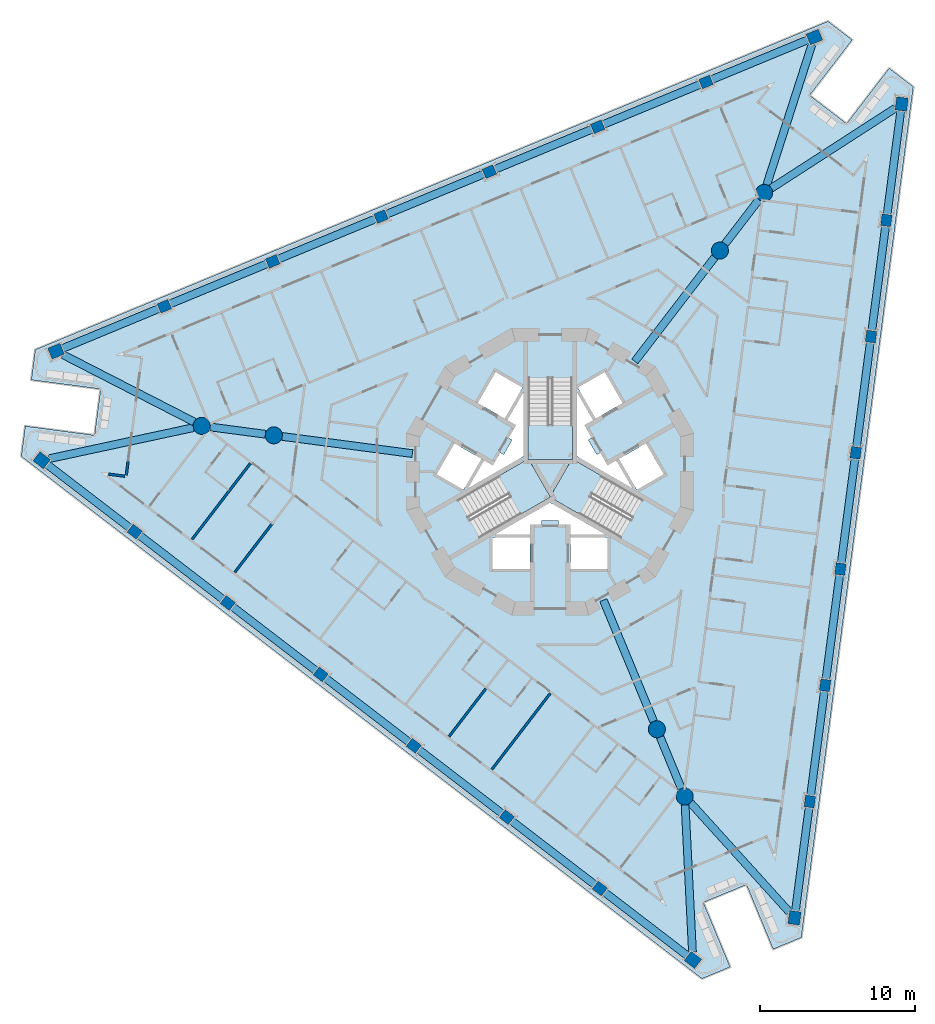
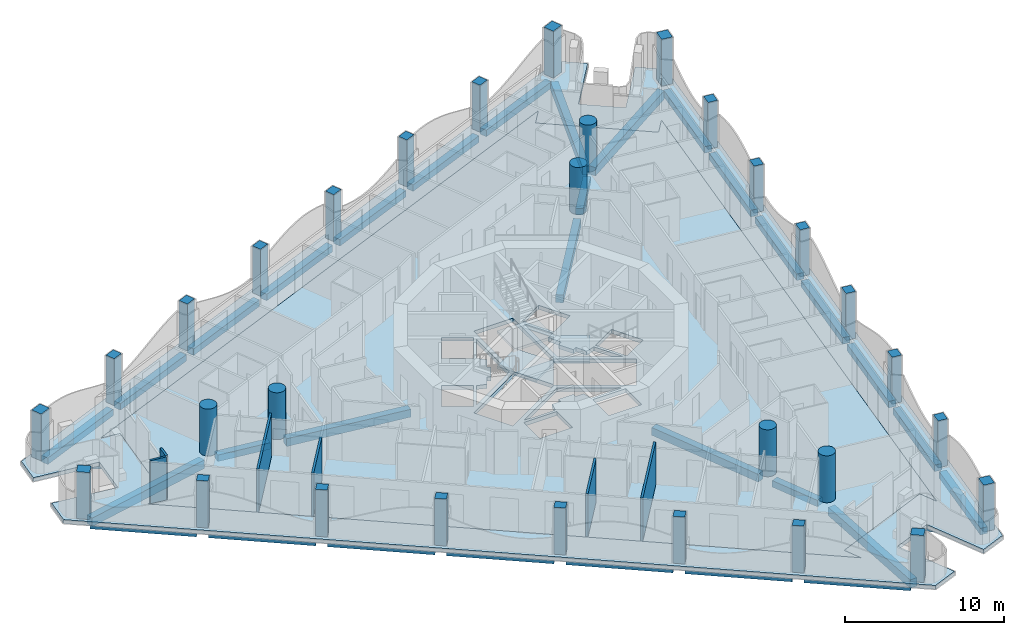
# One storey, part 1 of 17: 33 beams, 30 columns, 6 slabs, 6 walls, 3 elements without a shape of their own.
"""IFC4 building model written with IfcOpenShell, lengths in metres."""

from ifc_helpers import new_model, si_unit, direction, frame, frame_2d, origin, origin_2d, place, context, subcontext, project, spatial, polyline, rectangle, circle, outline, extrude, material, layer, layer_set, material_profile, profile_set, type_object, element, aggregate, save


model = new_model("IFC4")

# Units and contexts
model_context = context("Model", 3, precision=1e-05, world=origin(), true_north=direction((0.0, 1.0)))
body_context = subcontext(model_context, "Body", "Model", "MODEL_VIEW")
ifc_project = project(units=[si_unit("LENGTHUNIT", "METRE"), si_unit("AREAUNIT", "SQUARE_METRE"), si_unit("VOLUMEUNIT", "CUBIC_METRE"), si_unit("PLANEANGLEUNIT", "RADIAN"), si_unit("MASSUNIT", "GRAM", prefix="KILO")], contexts=[model_context])

# Site, building, storey
site_placement = place(None, origin())
site = spatial("IfcSite", under=ifc_project, at=site_placement, CompositionType="ELEMENT")
building_placement = place(site_placement, origin())
building = spatial("IfcBuilding", under=site, at=building_placement, Name="Trine Commons Tower", CompositionType="ELEMENT")
storey_placement = place(building_placement, frame((0.0, 0.0, 127.800048828125)))
storey = spatial("IfcBuildingStorey", under=building, at=storey_placement, Name="L32", CompositionType="ELEMENT", Elevation=127.800048828125)

# Columns
ifc_material_1 = material(Name="Concrete C70/85", Category="concrete")
ifc_material_profile_1 = material_profile(ifc_material_1, rectangle(XDim=0.75, YDim=0.64990234375, at=origin_2d()), Name="RC 750x650")
ifc_profile_set_1 = profile_set([ifc_material_profile_1], Name="Concrete C70/85")
column_type_1 = type_object("IfcColumnType", Name="RC column 750x650, C70/85", PredefinedType="COLUMN", material=ifc_profile_set_1)
for number, where, z_axis, x_axis, name in (
    (1, (83.197021484375, 35.652587890625, 0.0), (0.0, 0.0, 1.0), (-0.793353340291, 0.608761429009, 0.0), "Column PC4-02 L32"),
    (2, (77.20556640625, 40.25, 0.0), (0.0, 0.0, 1.0), (-0.793353340291, 0.608761429009, 0.0), "Column PC4-03 L32"),
    (3, (71.214111328125, 44.847412109375, 0.0), (0.0, 0.0, 1.0), (-0.793353340291, 0.608761429009, 0.0), "Column PC4-04 L32"),
    (4, (65.222900390625, 49.444580078125, 0.0), (0.0, 0.0, 1.0), (-0.793353340291, 0.608761429009, 0.0), "Column PC4-05 L32"),
    (5, (59.2314453125, 54.0419921875, 0.0), (0.0, 0.0, 1.0), (-0.793353340291, 0.608761429009, 0.0), "Column PC4-06 L32"),
    (6, (53.239990234375, 58.639404296875, 0.0), (0.0, 0.0, 1.0), (-0.793353340291, 0.608761429009, 0.0), "Column PC4-07 L32"),
    (7, (55.151123046875, 73.155029296875, 0.0), (0.0, 0.0, 1.0), (0.923879532511, 0.382683432365, 0.0), "Column PC4-10 L32"),
    (8, (62.128173828125, 76.044921875, 0.0), (0.0, 0.0, 1.0), (0.923879532511, 0.382683432365, 0.0), "Column PC4-11 L32"),
    (9, (69.105224609375, 78.93505859375, 0.0), (0.0, 0.0, 1.0), (0.923879532511, 0.382683432365, 0.0), "Column PC4-12 L32"),
    (10, (76.08251953125, 81.8251953125, 0.0), (0.0, 0.0, 1.0), (0.923879532511, 0.382683432365, 0.0), "Column PC4-13 L32"),
    (11, (83.0595703125, 84.715087890625, 0.0), (0.0, 0.0, 1.0), (0.923879532511, 0.382683432365, 0.0), "Column PC4-14 L32"),
    (12, (90.03662109375, 87.60498046875, 0.0), (0.0, 0.0, 1.0), (0.923879532511, 0.382683432365, 0.0), "Column PC4-15 L32"),
    (13, (101.652099609375, 78.692138671875, 0.0), (0.0, 0.0, 1.0), (0.13052619222, 0.991444861374, 0.0), "Column PC4-18 L32"),
    (14, (100.666259765625, 71.204833984375, 0.0), (0.0, 0.0, 1.0), (0.13052619222, 0.991444861374, 0.0), "Column PC4-19 L32"),
    (15, (99.680419921875, 63.717529296875, 0.0), (0.0, 0.0, 1.0), (0.13052619222, 0.991444861374, 0.0), "Column PC4-20 L32"),
    (16, (98.69482421875, 56.230224609375, 0.0), (0.0, 0.0, 1.0), (0.13052619222, 0.991444861374, 0.0), "Column PC4-21 L32"),
    (17, (97.708984375, 48.742919921875, 0.0), (0.0, 0.0, 1.0), (0.13052619222, 0.991444861374, 0.0), "Column PC4-22 L32"),
    (18, (96.723388671875, 41.255615234375, 0.0), (0.0, 0.0, 1.0), (0.13052619222, 0.991444861374, 0.0), "Column PC4-23 L32"),
):
    element("IfcColumn", number, at=place(storey_placement, frame(where, z_axis=z_axis, x_axis=x_axis)), inside=storey, type_object=column_type_1, Name=name, PredefinedType="COLUMN", context=body_context, shape_type="SweptSolid", body=[
        extrude(rectangle(XDim=0.75, YDim=0.64990234375, at=origin_2d()), origin(), (0.0, 0.0, 1.0), 3.599853515625),
    ])
ifc_material_profile_2 = material_profile(ifc_material_1, rectangle(XDim=0.85009765625, YDim=0.75, at=origin_2d()), Name="RC 850x750")
ifc_profile_set_2 = profile_set([ifc_material_profile_2], Name="Concrete C70/85")
column_type_2 = type_object("IfcColumnType", Name="RC column 850x750, C70/85", PredefinedType="COLUMN", material=ifc_profile_set_2)
for number, where, z_axis, x_axis, name in (
    (19, (89.188232421875, 31.055419921875, 0.0), (0.0, 0.0, 1.0), (-0.793353340291, 0.608761429009, 0.0), "Column PC4-01 L32"),
    (20, (47.248779296875, 63.23681640625, 0.0), (0.0, 0.0, 1.0), (-0.793353340291, 0.608761429009, 0.0), "Column PC4-08 L32"),
    (21, (48.174072265625, 70.264892578125, 0.0), (0.0, 0.0, 1.0), (0.923879532511, 0.382683432365, 0.0), "Column PC4-09 L32"),
    (22, (97.013671875, 90.4951171875, 0.0), (0.0, 0.0, 1.0), (0.923879532511, 0.382683432365, 0.0), "Column PC4-16 L32"),
    (23, (102.6376953125, 86.1796875, 0.0), (0.0, 0.0, 1.0), (0.13052619222, 0.991444861374, 0.0), "Column PC4-17 L32"),
    (24, (95.737548828125, 33.768310546875, 0.0), (0.0, 0.0, 1.0), (0.13052619222, 0.991444861374, 0.0), "Column PC4-24 L32"),
):
    element("IfcColumn", number, at=place(storey_placement, frame(where, z_axis=z_axis, x_axis=x_axis)), inside=storey, type_object=column_type_2, Name=name, PredefinedType="COLUMN", context=body_context, shape_type="SweptSolid", body=[
        extrude(rectangle(XDim=0.85009765625, YDim=0.75, at=origin_2d()), origin(), (0.0, 0.0, 1.0), 3.599853515625),
    ])
ifc_material_profile_3 = material_profile(ifc_material_1, circle(Radius=0.550048828125, at=origin_2d()), Name="RC round 1100")
ifc_profile_set_3 = profile_set([ifc_material_profile_3], Name="Concrete C70/85")
column_type_3 = type_object("IfcColumnType", Name="RC round column 1100 mm, C70/85", PredefinedType="COLUMN", material=ifc_profile_set_3)
for number, where, z_axis, x_axis, name in (
    (25, (86.87109375, 45.912109375, 0.0), (0.0, 0.0, 1.0), (1.0, 0.0, 0.0), "Column WC4-1 L32"),
    (26, (88.66259765625, 41.58642578125, 0.0), (0.0, 0.0, 1.0), (1.0, 0.0, 0.0), "Column WC4-2 L32"),
    (27, (90.93017578125, 76.744384765625, 0.0), (0.0, 0.0, 1.0), (1.0, 0.0, 0.0), "Column WC4-3 L32"),
    (28, (93.7802734375, 80.458984375, 0.0), (0.0, 0.0, 1.0), (1.0, 0.0, 0.0), "Column WC4-4 L32"),
    (29, (62.198974609375, 64.843505859375, 0.0), (0.0, 0.0, 1.0), (1.0, 0.0, 0.0), "Column WC4-5 L32"),
    (30, (57.556884765625, 65.45458984375, 0.0), (0.0, 0.0, 1.0), (1.0, 0.0, 0.0), "Column WC4-6 L32"),
):
    element("IfcColumn", number, at=place(storey_placement, frame(where, z_axis=z_axis, x_axis=x_axis)), inside=storey, type_object=column_type_3, Name=name, PredefinedType="COLUMN", context=body_context, shape_type="SweptSolid", body=[
        extrude(circle(Radius=0.550048828125, at=origin_2d()), origin(), (0.0, 0.0, 1.0), 3.599853515625),
    ])

# Beams
ifc_material_2 = material(Name="Concrete C50/60", Category="concrete")
ifc_material_profile_4 = material_profile(ifc_material_2, rectangle(XDim=0.5, YDim=0.5, at=origin_2d()), Name="RC 500x500")
ifc_profile_set_4 = profile_set([ifc_material_profile_4], Name="Concrete C50/60")
beam_type_1 = type_object("IfcBeamType", Name="RC beam 500x500, C50/60", PredefinedType="BEAM", material=ifc_profile_set_4)
beam_1_placement = place(storey_placement, frame((88.85107421875, 31.314208984375, -0.550048828125), z_axis=(-0.793369431695, 0.608740457709, 0.0), x_axis=(-0.608740457709, -0.793369431695, 0.0)))
element("IfcBeam", 31, at=beam_1_placement, inside=storey, type_object=beam_type_1, Name="Beam EB4-01 L32", PredefinedType="BEAM", context=body_context, shape_type="SweptSolid", body=[
    extrude(rectangle(XDim=0.5, YDim=0.5, at=origin_2d()), origin(), (0.0, 0.0, 1.0), 6.751708984375),
])
beam_2_placement = place(storey_placement, frame((82.8994140625, 35.881103515625, -0.550048828125), z_axis=(-0.793370600973, 0.60873893379, 0.0), x_axis=(-0.60873893379, -0.793370600973, 0.0)))
element("IfcBeam", 32, at=beam_2_placement, inside=storey, type_object=beam_type_1, Name="Beam EB4-02 L32", PredefinedType="BEAM", context=body_context, shape_type="SweptSolid", body=[
    extrude(rectangle(XDim=0.5, YDim=0.5, at=origin_2d()), origin(), (0.0, 0.0, 1.0), 6.802001953125),
])
beam_3_placement = place(storey_placement, frame((76.907958984375, 40.478515625, -0.550048828125), z_axis=(-0.793357299922, 0.608756268682, 0.0), x_axis=(-0.608756268682, -0.793357299922, 0.0)))
element("IfcBeam", 33, at=beam_3_placement, inside=storey, type_object=beam_type_1, Name="Beam EB4-03 L32", PredefinedType="BEAM", context=body_context, shape_type="SweptSolid", body=[
    extrude(rectangle(XDim=0.5, YDim=0.5, at=origin_2d()), origin(), (0.0, 0.0, 1.0), 6.8017578125),
])
beam_4_placement = place(storey_placement, frame((70.916748046875, 45.07568359375, -0.550048828125), z_axis=(-0.793370600973, 0.60873893379, 0.0), x_axis=(-0.60873893379, -0.793370600973, 0.0)))
element("IfcBeam", 34, at=beam_4_placement, inside=storey, type_object=beam_type_1, Name="Beam EB4-04 L32", PredefinedType="BEAM", context=body_context, shape_type="SweptSolid", body=[
    extrude(rectangle(XDim=0.5, YDim=0.5, at=origin_2d()), origin(), (0.0, 0.0, 1.0), 6.802001953125),
])
beam_5_placement = place(storey_placement, frame((64.92529296875, 49.673095703125, -0.550048828125), z_axis=(-0.793357299922, 0.608756268682, 0.0), x_axis=(-0.608756268682, -0.793357299922, 0.0)))
element("IfcBeam", 35, at=beam_5_placement, inside=storey, type_object=beam_type_1, Name="Beam EB4-05 L32", PredefinedType="BEAM", context=body_context, shape_type="SweptSolid", body=[
    extrude(rectangle(XDim=0.5, YDim=0.5, at=origin_2d()), origin(), (0.0, 0.0, 1.0), 6.8017578125),
])
beam_6_placement = place(storey_placement, frame((58.93408203125, 54.2705078125, -0.550048828125), z_axis=(-0.793370600973, 0.60873893379, 0.0), x_axis=(-0.60873893379, -0.793370600973, 0.0)))
element("IfcBeam", 36, at=beam_6_placement, inside=storey, type_object=beam_type_1, Name="Beam EB4-06 L32", PredefinedType="BEAM", context=body_context, shape_type="SweptSolid", body=[
    extrude(rectangle(XDim=0.5, YDim=0.5, at=origin_2d()), origin(), (0.0, 0.0, 1.0), 6.802001953125),
])
for number, where, z_axis, x_axis, name in (
    (37, (52.942626953125, 58.86767578125, -0.550048828125), (-0.793351968439, 0.608763216838, 0.0), (-0.608763216838, -0.793351968439, 0.0), "Beam EB4-07 L32"),
    (38, (48.566650390625, 70.427490234375, -0.550048828125), (0.923874044744, 0.382696680739, 0.0), (-0.382696680739, 0.923874044744, 0.0), "Beam EB4-08 L32"),
):
    element("IfcBeam", number, at=place(storey_placement, frame(where, z_axis=z_axis, x_axis=x_axis)), inside=storey, type_object=beam_type_1, Name=name, PredefinedType="BEAM", context=body_context, shape_type="SweptSolid", body=[
        extrude(rectangle(XDim=0.5, YDim=0.5, at=origin_2d()), origin(), (0.0, 0.0, 1.0), 6.751953125),
    ])
for number, where, z_axis, x_axis, name in (
    (39, (55.49755859375, 73.298583984375, -0.550048828125), (0.923877719045, 0.38268781043, 0.0), (-0.38268781043, 0.923877719045, 0.0), "Beam EB4-09 L32"),
    (40, (62.474609375, 76.1884765625, -0.550048828125), (0.923877719045, 0.38268781043, 0.0), (-0.38268781043, 0.923877719045, 0.0), "Beam EB4-10 L32"),
):
    element("IfcBeam", number, at=place(storey_placement, frame(where, z_axis=z_axis, x_axis=x_axis)), inside=storey, type_object=beam_type_1, Name=name, PredefinedType="BEAM", context=body_context, shape_type="SweptSolid", body=[
        extrude(rectangle(XDim=0.5, YDim=0.5, at=origin_2d()), origin(), (0.0, 0.0, 1.0), 6.802001953125),
    ])
for number, where, z_axis, x_axis, name in (
    (41, (69.451904296875, 79.07861328125, -0.550048828125), (0.923872462302, 0.382700500915, 0.0), (-0.382700500915, 0.923872462302, 0.0), "Beam EB4-11 L32"),
    (42, (76.428955078125, 81.968505859375, -0.550048828125), (0.923872462302, 0.382700500915, 0.0), (-0.382700500915, 0.923872462302, 0.0), "Beam EB4-12 L32"),
):
    element("IfcBeam", number, at=place(storey_placement, frame(where, z_axis=z_axis, x_axis=x_axis)), inside=storey, type_object=beam_type_1, Name=name, PredefinedType="BEAM", context=body_context, shape_type="SweptSolid", body=[
        extrude(rectangle(XDim=0.5, YDim=0.5, at=origin_2d()), origin(), (0.0, 0.0, 1.0), 6.8017578125),
    ])
beam_7_placement = place(storey_placement, frame((83.406005859375, 84.858642578125, -0.550048828125), z_axis=(0.923877719045, 0.38268781043, 0.0), x_axis=(-0.38268781043, 0.923877719045, 0.0)))
element("IfcBeam", 43, at=beam_7_placement, inside=storey, type_object=beam_type_1, Name="Beam EB4-13 L32", PredefinedType="BEAM", context=body_context, shape_type="SweptSolid", body=[
    extrude(rectangle(XDim=0.5, YDim=0.5, at=origin_2d()), origin(), (0.0, 0.0, 1.0), 6.802001953125),
])
beam_8_placement = place(storey_placement, frame((90.383056640625, 87.74853515625, -0.550048828125), z_axis=(0.923874044744, 0.382696680739, 0.0), x_axis=(-0.382696680739, 0.923874044744, 0.0)))
element("IfcBeam", 44, at=beam_8_placement, inside=storey, type_object=beam_type_1, Name="Beam EB4-14 L32", PredefinedType="BEAM", context=body_context, shape_type="SweptSolid", body=[
    extrude(rectangle(XDim=0.5, YDim=0.5, at=origin_2d()), origin(), (0.0, 0.0, 1.0), 6.751953125),
])
beam_9_placement = place(storey_placement, frame((102.582275390625, 85.75830078125, -0.550048828125), z_axis=(-0.130529338233, -0.991444447188, 0.0), x_axis=(0.991444447188, -0.130529338233, 0.0)))
element("IfcBeam", 45, at=beam_9_placement, inside=storey, type_object=beam_type_1, Name="Beam EB4-15 L32", PredefinedType="BEAM", context=body_context, shape_type="SweptSolid", body=[
    extrude(rectangle(XDim=0.5, YDim=0.5, at=origin_2d()), origin(), (0.0, 0.0, 1.0), 6.752197265625),
])
for number, where, z_axis, x_axis, name in (
    (46, (101.60302734375, 78.3203125, -0.550048828125), (-0.13054364647, -0.991442563322, 0.0), (0.991442563322, -0.13054364647, 0.0), "Beam EB4-16 L32"),
    (47, (100.6171875, 70.8330078125, -0.550048828125), (-0.13050836468, -0.991447208251, 0.0), (0.991447208251, -0.13050836468, 0.0), "Beam EB4-17 L32"),
    (48, (99.631591796875, 63.345703125, -0.550048828125), (-0.13054364647, -0.991442563322, 0.0), (0.991442563322, -0.13054364647, 0.0), "Beam EB4-18 L32"),
    (49, (98.64599609375, 55.8583984375, -0.550048828125), (-0.13054364647, -0.991442563322, 0.0), (0.991442563322, -0.13054364647, 0.0), "Beam EB4-19 L32"),
    (50, (97.66015625, 48.37109375, -0.550048828125), (-0.13054364647, -0.991442563322, 0.0), (0.991442563322, -0.13054364647, 0.0), "Beam EB4-20 L32"),
):
    element("IfcBeam", number, at=place(storey_placement, frame(where, z_axis=z_axis, x_axis=x_axis)), inside=storey, type_object=beam_type_1, Name=name, PredefinedType="BEAM", context=body_context, shape_type="SweptSolid", body=[
        extrude(rectangle(XDim=0.5, YDim=0.5, at=origin_2d()), origin(), (0.0, 0.0, 1.0), 6.8017578125),
    ])
beam_10_placement = place(storey_placement, frame((96.67431640625, 40.8837890625, -0.550048828125), z_axis=(-0.130498474521, -0.991448510084, 0.0), x_axis=(0.991448510084, -0.130498474521, 0.0)))
element("IfcBeam", 51, at=beam_10_placement, inside=storey, type_object=beam_type_1, Name="Beam EB4-21 L32", PredefinedType="BEAM", context=body_context, shape_type="SweptSolid", body=[
    extrude(rectangle(XDim=0.5, YDim=0.5, at=origin_2d()), origin(), (0.0, 0.0, 1.0), 6.751708984375),
])
beam_11_placement = place(storey_placement, frame((87.08154296875, 45.40380859375, -0.550048828125), z_axis=(0.382644753509, -0.92389555287, 0.0), x_axis=(0.92389555287, 0.382644753509, 0.0)))
element("IfcBeam", 52, at=beam_11_placement, inside=storey, type_object=beam_type_1, Name="Beam RB4-02 L32", PredefinedType="BEAM", context=body_context, shape_type="SweptSolid", body=[
    extrude(rectangle(XDim=0.5, YDim=0.5, at=origin_2d()), origin(), (0.0, 0.0, 1.0), 3.58203125),
])
beam_12_placement = place(storey_placement, frame((91.2646484375, 77.180419921875, -0.550048828125), z_axis=(0.608761938472, 0.793352949366, 0.0), x_axis=(-0.793352949366, 0.608761938472, 0.0)))
element("IfcBeam", 53, at=beam_12_placement, inside=storey, type_object=beam_type_1, Name="Beam RB4-04 L32", PredefinedType="BEAM", context=body_context, shape_type="SweptSolid", body=[
    extrude(rectangle(XDim=0.5, YDim=0.5, at=origin_2d()), origin(), (0.0, 0.0, 1.0), 3.5830078125),
])
beam_13_placement = place(storey_placement, frame((61.654296875, 64.915283203125, -0.550048828125), z_axis=(-0.991441999821, 0.13054792603, 0.0), x_axis=(-0.13054792603, -0.991441999821, 0.0)))
element("IfcBeam", 54, at=beam_13_placement, inside=storey, type_object=beam_type_1, Name="Beam RB4-06 L32", PredefinedType="BEAM", context=body_context, shape_type="SweptSolid", body=[
    extrude(rectangle(XDim=0.5, YDim=0.5, at=origin_2d()), origin(), (0.0, 0.0, 1.0), 3.583251953125),
])
ifc_material_profile_5 = material_profile(ifc_material_2, rectangle(XDim=0.5, YDim=0.60009765625, at=origin_2d()), Name="RC 500x600")
ifc_profile_set_5 = profile_set([ifc_material_profile_5], Name="Concrete C50/60")
beam_type_2 = type_object("IfcBeamType", Name="RC beam 500x600, C50/60", PredefinedType="BEAM", material=ifc_profile_set_5)
beam_14_placement = place(storey_placement, frame((83.426025390625, 54.228515625, -0.60009765625), z_axis=(0.382688551836, -0.92387741194, 0.0), x_axis=(0.92387741194, 0.382688551836, 0.0)))
element("IfcBeam", 55, at=beam_14_placement, inside=storey, type_object=beam_type_2, Name="Beam RB4-01 L32", PredefinedType="BEAM", context=body_context, shape_type="SweptSolid", body=[
    extrude(rectangle(XDim=0.5, YDim=0.60009765625, at=origin_2d()), origin(), (0.0, 0.0, 1.0), 8.45166015625),
])
for number, where, z_axis, x_axis, name in (
    (56, (85.4501953125, 69.602783203125, -0.60009765625), (0.608758331545, 0.793355717049, 0.0), (-0.793355717049, 0.608758331545, 0.0), "Beam RB4-03 L32"),
    (57, (71.123779296875, 63.668701171875, -0.60009765625), (-0.991444756637, 0.130526987771, 0.0), (-0.130526987771, -0.991444756637, 0.0), "Beam RB4-05 L32"),
):
    element("IfcBeam", number, at=place(storey_placement, frame(where, z_axis=z_axis, x_axis=x_axis)), inside=storey, type_object=beam_type_2, Name=name, PredefinedType="BEAM", context=body_context, shape_type="SweptSolid", body=[
        extrude(rectangle(XDim=0.5, YDim=0.60009765625, at=origin_2d()), origin(), (0.0, 0.0, 1.0), 8.452392578125),
    ])
ifc_material_profile_6 = material_profile(ifc_material_2, rectangle(XDim=0.5, YDim=0.64990234375, at=origin_2d()), Name="RC 500x650")
ifc_profile_set_6 = profile_set([ifc_material_profile_6], Name="Concrete C50/60")
beam_type_3 = type_object("IfcBeamType", Name="RC beam 500x650, C50/60", PredefinedType="BEAM", material=ifc_profile_set_6)
for number, where, z_axis, x_axis, name in (
    (58, (47.729736328125, 63.340087890625, -0.625), (0.977623092321, 0.210364182695, 0.0), (-0.210364182695, 0.977623092321, 0.0), "Beam CB4-01 L32"),
    (59, (48.61181640625, 70.04052734375, -0.625), (0.88987015168, -0.456213889692, 0.0), (0.456213889692, 0.88987015168, 0.0), "Beam CB4-02 L32"),
):
    element("IfcBeam", number, at=place(storey_placement, frame(where, z_axis=z_axis, x_axis=x_axis)), inside=storey, type_object=beam_type_3, Name=name, PredefinedType="BEAM", context=body_context, shape_type="SweptSolid", body=[
        extrude(rectangle(XDim=0.5, YDim=0.64990234375, at=origin_2d()), origin(), (0.0, 0.0, 1.0), 9.502685546875),
    ])
for number, where, z_axis, x_axis, name in (
    (60, (96.86279296875, 90.026611328125, -0.625), (-0.306661957359, -0.951818493153, 0.0), (0.951818493153, -0.306661957359, 0.0), "Beam CB4-03 L32"),
    (61, (102.224365234375, 85.91259765625, -0.625), (-0.840029620135, -0.542540539772, 0.0), (0.542540539772, -0.840029620135, 0.0), "Beam CB4-04 L32"),
):
    element("IfcBeam", number, at=place(storey_placement, frame(where, z_axis=z_axis, x_axis=x_axis)), inside=storey, type_object=beam_type_3, Name=name, PredefinedType="BEAM", context=body_context, shape_type="SweptSolid", body=[
        extrude(rectangle(XDim=0.5, YDim=0.64990234375, at=origin_2d()), origin(), (0.0, 0.0, 1.0), 9.50244140625),
    ])
beam_15_placement = place(storey_placement, frame((95.407470703125, 34.133056640625, -0.625), z_axis=(-0.670979247329, 0.74147612885, 0.0), x_axis=(-0.74147612885, -0.670979247329, 0.0)))
element("IfcBeam", 62, at=beam_15_placement, inside=storey, type_object=beam_type_3, Name="Beam CB4-05 L32", PredefinedType="BEAM", context=body_context, shape_type="SweptSolid", body=[
    extrude(rectangle(XDim=0.5, YDim=0.64990234375, at=origin_2d()), origin(), (0.0, 0.0, 1.0), 9.5029296875),
])
beam_16_placement = place(storey_placement, frame((89.163818359375, 31.546875, -0.625), z_axis=(-0.049841513837, 0.998757139398, 0.0), x_axis=(-0.998757139398, -0.049841513837, 0.0)))
element("IfcBeam", 63, at=beam_16_placement, inside=storey, type_object=beam_type_3, Name="Beam CB4-06 L32", PredefinedType="BEAM", context=body_context, shape_type="SweptSolid", body=[
    extrude(rectangle(XDim=0.5, YDim=0.64990234375, at=origin_2d()), origin(), (0.0, 0.0, 1.0), 9.502685546875),
])

# Slabs
ifc_layer_1 = layer(ifc_material_2, 0.300048828125)
ifc_layer_set_1 = layer_set([ifc_layer_1], Name="Concrete C50/60")
slab_type_1 = type_object("IfcSlabType", Name="Loggia slab 300 mm, C50/60", PredefinedType="FLOOR", material=ifc_layer_set_1)
slab_1_placement = place(storey_placement, frame((0.0, 0.0, -0.300048828125)))
element("IfcSlab", 64, at=slab_1_placement, inside=storey, type_object=slab_type_1, Name="Loggia slab L32", PredefinedType="FLOOR", context=body_context, shape_type="SweptSolid", body=[
    extrude(outline(polyline([(96.17578125, 32.500244140625), (103.38916015625, 87.291015625), (101.8310546875, 88.48681640625), (99.091552734375, 84.91650390625), (96.71142578125, 86.742919921875), (99.450927734375, 90.31298828125), (97.892578125, 91.508544921875), (46.835693359375, 70.360107421875), (46.579345703125, 68.412841796875), (51.041015625, 67.825439453125), (50.6494140625, 64.85107421875), (46.187744140625, 65.4384765625), (45.931396484375, 63.4912109375), (89.77490234375, 29.848876953125), (91.589599609375, 30.6005859375), (89.867431640625, 34.758056640625), (92.63916015625, 35.906005859375), (94.361328125, 31.74853515625), (96.17578125, 32.500244140625)]), holes=[polyline([(87.24658203125, 34.814208984375), (86.731689453125, 36.056884765625), (93.93798828125, 39.041748046875), (94.452880859375, 37.799072265625), (100.353271484375, 82.618408203125), (99.53466796875, 81.551513671875), (93.346435546875, 86.2998046875), (94.165283203125, 87.366943359375), (52.400146484375, 70.067138671875), (53.733642578125, 69.8916015625), (52.715576171875, 62.158447265625), (51.382080078125, 62.333984375), (87.24658203125, 34.814208984375)])]), origin(), (0.0, 0.0, 1.0), 0.300048828125),
])
ifc_layer_2 = layer(ifc_material_2, 0.300048828125)
ifc_layer_set_2 = layer_set([ifc_layer_2], Name="Concrete C50/60")
slab_type_2 = type_object("IfcSlabType", Name="PT flat slab 300 mm, C50/60", PredefinedType="FLOOR", material=ifc_layer_set_2)
slab_2_placement = place(storey_placement, frame((0.0, 0.0, -0.300048828125)))
element("IfcSlab", 65, at=slab_2_placement, inside=storey, type_object=slab_type_2, Name="Floor slab L32", PredefinedType="FLOOR", context=body_context, shape_type="SweptSolid", body=[
    extrude(outline(polyline([(51.382080078125, 62.333984375), (87.24658203125, 34.814208984375), (86.731689453125, 36.056884765625), (93.93798828125, 39.041748046875), (94.452880859375, 37.799072265625), (100.353271484375, 82.618408203125), (99.53466796875, 81.551513671875), (93.346435546875, 86.2998046875), (94.165283203125, 87.366943359375), (52.400146484375, 70.067138671875), (53.733642578125, 69.8916015625), (52.715576171875, 62.158447265625), (51.382080078125, 62.333984375)]), holes=[polyline([(78.699951171875, 56.25), (78.699951171875, 58.25), (76.300048828125, 58.25), (76.300048828125, 56.25), (78.699951171875, 56.25)]), polyline([(80.0, 60.8544921875), (84.4755859375, 58.2705078125), (85.900390625, 60.73876953125), (81.425048828125, 63.32275390625), (81.425048828125, 68.490478515625), (78.574951171875, 68.490478515625), (78.574951171875, 63.32275390625), (74.099609375, 60.73876953125), (75.5244140625, 58.2705078125), (80.0, 60.8544921875)]), polyline([(73.83740234375, 64.325927734375), (72.687255859375, 62.333984375), (74.41943359375, 61.333984375), (75.5693359375, 63.325927734375), (73.83740234375, 64.325927734375)]), polyline([(76.381103515625, 63.031005859375), (75.742919921875, 63.22607421875), (74.7099609375, 61.43798828125), (78.27490234375, 63.49609375), (78.27490234375, 67.612060546875), (77.242919921875, 65.823974609375), (77.73095703125, 65.368896484375), (77.3310546875, 64.676025390625), (77.555908203125, 64.5458984375), (77.006103515625, 63.593994140625), (76.781005859375, 63.722900390625), (76.381103515625, 63.031005859375)]), polyline([(76.4873046875, 68.916015625), (75.33740234375, 66.924072265625), (77.0693359375, 65.924072265625), (78.219482421875, 67.916015625), (76.4873046875, 68.916015625)]), polyline([(83.699951171875, 56.25), (83.699951171875, 58.25), (81.300048828125, 58.25), (81.300048828125, 56.25), (83.699951171875, 56.25)]), polyline([(81.14990234375, 59.10009765625), (81.300048828125, 58.449951171875), (83.56494140625, 58.449951171875), (80.0, 60.508056640625), (76.43505859375, 58.449951171875), (78.699951171875, 58.449951171875), (78.85009765625, 59.10009765625), (79.449951171875, 59.10009765625), (79.449951171875, 59.360107421875), (80.550048828125, 59.360107421875), (80.550048828125, 59.10009765625), (81.14990234375, 59.10009765625)]), polyline([(86.16259765625, 64.325927734375), (84.4306640625, 63.325927734375), (85.58056640625, 61.333984375), (87.312744140625, 62.333984375), (86.16259765625, 64.325927734375)]), polyline([(83.243896484375, 63.738037109375), (82.993896484375, 63.593994140625), (82.444091796875, 64.5458984375), (82.72705078125, 64.7099609375), (82.281005859375, 65.549072265625), (82.757080078125, 65.823974609375), (81.72509765625, 67.612060546875), (81.72509765625, 63.49609375), (85.2900390625, 61.43798828125), (84.257080078125, 63.22607421875), (83.618896484375, 63.031005859375), (83.243896484375, 63.738037109375)]), polyline([(84.66259765625, 66.924072265625), (83.5126953125, 68.916015625), (81.780517578125, 67.916015625), (82.9306640625, 65.924072265625), (84.66259765625, 66.924072265625)])]), origin(), (0.0, 0.0, 1.0), 0.300048828125),
])
slab_3_placement = place(storey_placement, frame((0.0, 0.0, -0.300048828125)))
element("IfcSlab", 66, at=slab_3_placement, inside=storey, type_object=slab_type_2, Name="Floor slab L32 2", PredefinedType="FLOOR", context=body_context, shape_type="SweptSolid", body=[
    extrude(outline(polyline([(78.61328125, 63.300537109375), (80.0, 60.89892578125), (81.38671875, 63.300537109375), (78.61328125, 63.300537109375)])), origin(), (0.0, 0.0, 1.0), 0.300048828125),
])

# Stair, slab
stair_type = type_object("IfcStairType", Name="Exit stair, dog-leg, 24 risers of 150 mm", PredefinedType="HALF_TURN_STAIR", material=ifc_material_2)
stair_1_placement = place(storey_placement, origin())
stair_1 = element("IfcStair", 67, at=stair_1_placement, inside=storey, type_object=stair_type, Name="L32 Exit stair ST1B", PredefinedType="HALF_TURN_STAIR")
ifc_layer_3 = layer(ifc_material_2, 0.199951171875)
ifc_layer_set_3 = layer_set([ifc_layer_3], Name="Concrete C50/60")
slab_type_3 = type_object("IfcSlabType", Name="Stair landing slab 200 mm, C50/60", PredefinedType="LANDING", material=ifc_layer_set_3)
slab_4_placement = place(storey_placement, frame((0.0, 0.0, 1.599853515625)))
slab_4 = element("IfcSlab", 68, at=slab_4_placement, type_object=slab_type_3, Name="ST1B landing 1", PredefinedType="LANDING", context=body_context, shape_type="SweptSolid", body=[
    extrude(outline(polyline([(78.574951171875, 65.570556640625), (78.574951171875, 63.300537109375), (81.425048828125, 63.300537109375), (81.425048828125, 65.570556640625), (78.574951171875, 65.570556640625)])), origin(), (0.0, 0.0, 1.0), 0.2001953125),
])
aggregate(stair_1, [slab_4])

stair_2_placement = place(storey_placement, origin())
stair_2 = element("IfcStair", 69, at=stair_2_placement, inside=storey, type_object=stair_type, Name="L32 Exit stair ST2B", PredefinedType="HALF_TURN_STAIR")
slab_5_placement = place(storey_placement, frame((0.0, 0.0, 1.599853515625)))
slab_5 = element("IfcSlab", 70, at=slab_5_placement, type_object=slab_type_3, Name="ST2B landing 1", PredefinedType="LANDING", context=body_context, shape_type="SweptSolid", body=[
    extrude(outline(polyline([(78.05322265625, 59.730712890625), (80.019287109375, 60.86572265625), (78.59423828125, 63.333740234375), (76.628173828125, 62.19873046875), (78.05322265625, 59.730712890625)])), origin(), (0.0, 0.0, 1.0), 0.2001953125),
])
aggregate(stair_2, [slab_5])

stair_3_placement = place(storey_placement, origin())
stair_3 = element("IfcStair", 71, at=stair_3_placement, inside=storey, type_object=stair_type, Name="L32 Exit stair ST3B", PredefinedType="HALF_TURN_STAIR")
slab_6_placement = place(storey_placement, frame((0.0, 0.0, 1.599853515625)))
slab_6 = element("IfcSlab", 72, at=slab_6_placement, type_object=slab_type_3, Name="ST3B landing 1", PredefinedType="LANDING", context=body_context, shape_type="SweptSolid", body=[
    extrude(outline(polyline([(83.371826171875, 62.19873046875), (81.40576171875, 63.333740234375), (79.980712890625, 60.86572265625), (81.94677734375, 59.730712890625), (83.371826171875, 62.19873046875)])), origin(), (0.0, 0.0, 1.0), 0.2001953125),
])
aggregate(stair_3, [slab_6])

# Walls
ifc_material_3 = material(Name="Aluminium-framed insulated wall panel", Category="aluminium")
ifc_layer_4 = layer(ifc_material_3, 0.14990234375)
ifc_layer_set_4 = layer_set([ifc_layer_4], Name="Aluminium-framed insulated wall panel")
wall_type_1 = type_object("IfcWallType", Name="Glazed frame wall 150, EI 60", PredefinedType="SOLIDWALL", material=ifc_layer_set_4)
wall_1_placement = place(storey_placement, frame((51.38671875, 62.36865234375, 0.0), z_axis=(0.0, 0.0, 1.0), x_axis=(0.991446880033, -0.130510858064, 0.0)))
element("IfcWall", 73, at=wall_1_placement, inside=storey, type_object=wall_type_1, Name="Glazed frame wall R1", PredefinedType="SOLIDWALL", context=body_context, shape_type="SweptSolid", body=[
    extrude(outline(polyline([(0.1494140625, 0.074951171875), (0.1494140625, -0.074951171875), (1.235107421875, -0.074951171875), (1.235107421875, 0.074951171875), (0.1494140625, 0.074951171875)])), origin(), (0.0, 0.0, 1.0), 3.300048828125),
])
wall_2_placement = place(storey_placement, frame((52.680908203125, 62.1630859375, 0.0), z_axis=(0.0, 0.0, 1.0), x_axis=(0.130403976344, 0.991460943736, 0.0)))
element("IfcWall", 74, at=wall_2_placement, inside=storey, type_object=wall_type_1, Name="Glazed frame wall P1.1", PredefinedType="SOLIDWALL", context=body_context, shape_type="SweptSolid", body=[
    extrude(outline(polyline([(0.110107421875, -0.074951171875), (1.0, -0.074951171875), (1.0, 0.074951171875), (0.110107421875, 0.074951171875), (0.110107421875, -0.074951171875)])), origin(), (0.0, 0.0, 1.0), 3.300048828125),
])
ifc_material_4 = material(Name="Gypsum plasterboard on steel stud", Category="steel")
ifc_layer_5 = layer(ifc_material_4, 0.14990234375)
ifc_layer_set_5 = layer_set([ifc_layer_5], Name="Gypsum plasterboard on steel stud")
wall_type_2 = type_object("IfcWallType", Name="Unit and corridor wall 150 mm, EI 60", PredefinedType="PARTITIONING", material=ifc_layer_set_5)
wall_3_placement = place(storey_placement, frame((56.92431640625, 58.131591796875, 0.0), z_axis=(0.0, 0.0, 1.0), x_axis=(0.608635904236, 0.793449643062, 0.0)))
element("IfcWall", 75, at=wall_3_placement, inside=storey, type_object=wall_type_2, Name="Partition 003", PredefinedType="PARTITIONING", context=body_context, shape_type="SweptSolid", body=[
    extrude(rectangle(XDim=6.194091796875, YDim=0.14990234375, at=frame_2d((3.09716796875, 0.0))), origin(), (0.0, 0.0, 1.0), 3.300048828125),
])
wall_4_placement = place(storey_placement, frame((59.682373046875, 56.0146484375, 0.0), z_axis=(0.0, 0.0, 1.0), x_axis=(0.608733348698, 0.793374886282, 0.0)))
element("IfcWall", 76, at=wall_4_placement, inside=storey, type_object=wall_type_2, Name="Partition 012", PredefinedType="PARTITIONING", context=body_context, shape_type="SweptSolid", body=[
    extrude(rectangle(XDim=3.973388671875, YDim=0.14990234375, at=frame_2d((1.98681640625, 0.0))), origin(), (0.0, 0.0, 1.0), 3.300048828125),
])
wall_5_placement = place(storey_placement, frame((73.476318359375, 45.4306640625, 0.0), z_axis=(0.0, 0.0, 1.0), x_axis=(0.608903577747, 0.793244245493, 0.0)))
element("IfcWall", 77, at=wall_5_placement, inside=storey, type_object=wall_type_2, Name="Partition 050", PredefinedType="PARTITIONING", context=body_context, shape_type="SweptSolid", body=[
    extrude(rectangle(XDim=3.9189453125, YDim=0.14990234375, at=frame_2d((1.95947265625, 0.0))), origin(), (0.0, 0.0, 1.0), 3.300048828125),
])
wall_6_placement = place(storey_placement, frame((76.2353515625, 43.313720703125, 0.0), z_axis=(0.0, 0.0, 1.0), x_axis=(0.608811285709, 0.79331508141, 0.0)))
element("IfcWall", 78, at=wall_6_placement, inside=storey, type_object=wall_type_2, Name="Partition 057", PredefinedType="PARTITIONING", context=body_context, shape_type="SweptSolid", body=[
    extrude(rectangle(XDim=6.194091796875, YDim=0.14990234375, at=frame_2d((3.09716796875, 0.0))), origin(), (0.0, 0.0, 1.0), 3.300048828125),
])

save(model, "model.ifc")
